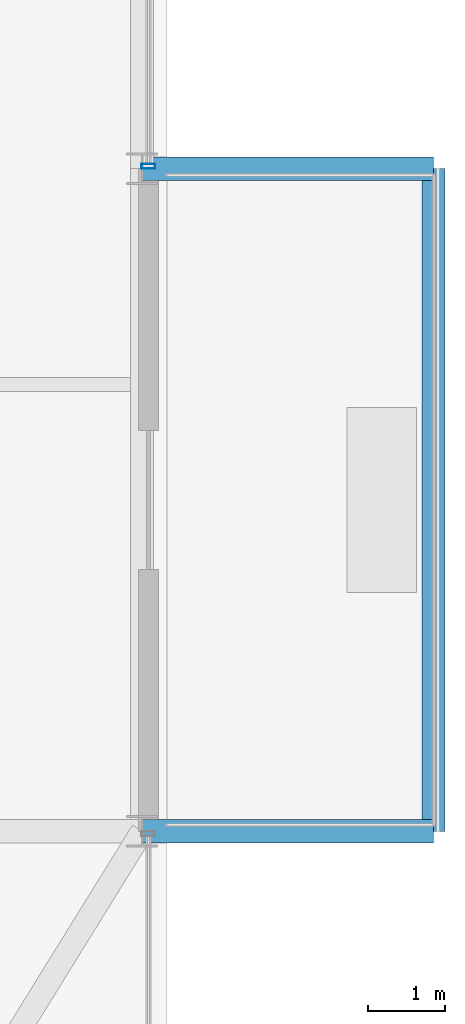
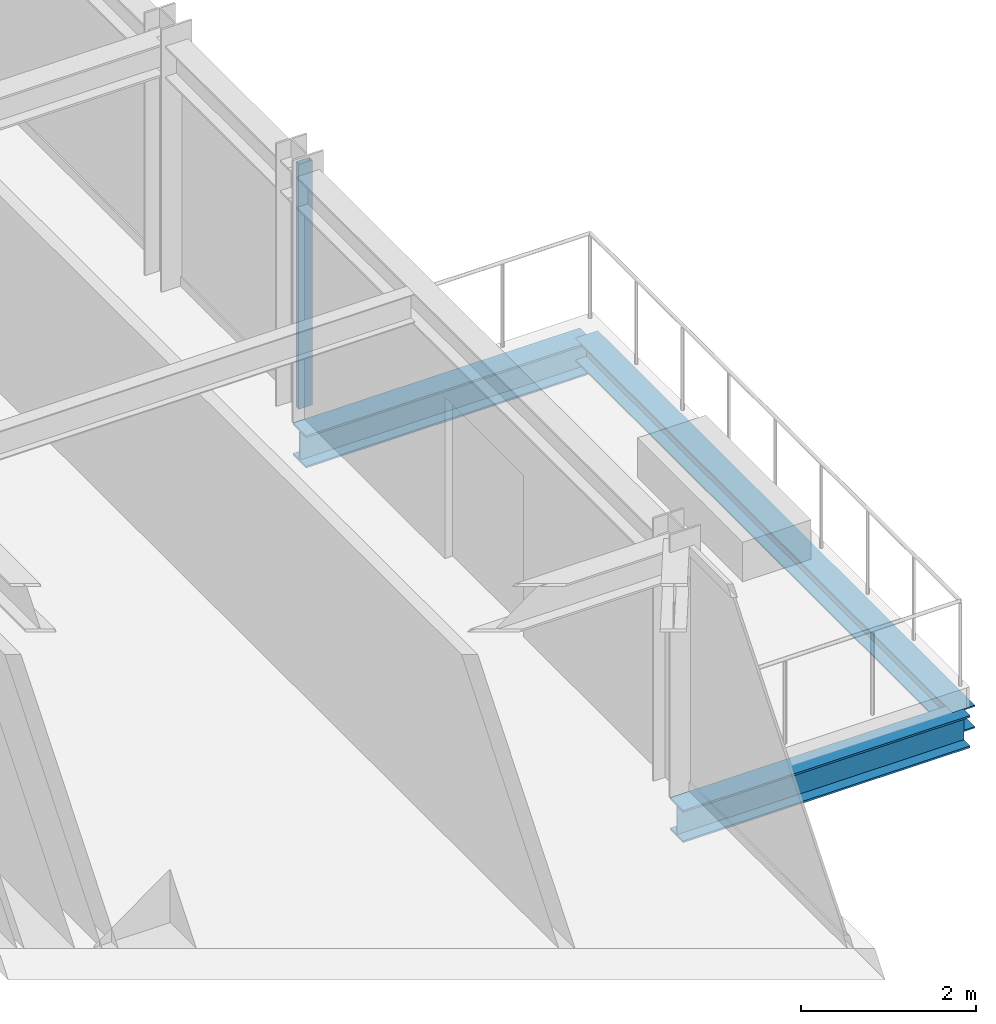
# One storey, part 15 of 42: 3 beams, 1 member, 1 element without a shape of its own.
"""IFC4 building model written with IfcOpenShell, lengths in metres."""

from ifc_helpers import new_model, si_unit, direction, frame, origin, origin_2d, place, context, subcontext, project, spatial, hollow_rectangle, i_section, extrude, source, transform, mapped, material, material_profile, profile_set, type_object, element, aggregate, save


model = new_model("IFC4")

# Units and contexts
model_context = context("Model", 3, precision=1e-05, world=origin(), true_north=direction((0.0, 1.0)))
body_context = subcontext(model_context, "Body", "Model", "MODEL_VIEW")
ifc_project = project(units=[si_unit("LENGTHUNIT", "METRE"), si_unit("AREAUNIT", "SQUARE_METRE"), si_unit("VOLUMEUNIT", "CUBIC_METRE"), si_unit("PLANEANGLEUNIT", "RADIAN"), si_unit("MASSUNIT", "GRAM", prefix="KILO")], contexts=[model_context])

# Site, building, storey
site_placement = place(None, origin())
site = spatial("IfcSite", under=ifc_project, at=site_placement, CompositionType="ELEMENT")
building_placement = place(site_placement, origin())
building = spatial("IfcBuilding", under=site, at=building_placement, Name="Nahalor Promenade Grand Hotel", CompositionType="ELEMENT")
storey_placement = place(building_placement, frame((0.0, 0.0, 249.300048828125)))
storey = spatial("IfcBuildingStorey", under=building, at=storey_placement, Name="L64", CompositionType="ELEMENT", Elevation=249.300048828125)

# Beams
ifc_material_1 = material(Name="Steel S355JR", Category="steel")
ifc_material_profile_1 = material_profile(ifc_material_1, i_section(OverallWidth=0.3, OverallDepth=0.32, WebThickness=0.0115, FlangeThickness=0.0205, at=origin_2d()), Name="HEB 320")
ifc_profile_set_1 = profile_set([ifc_material_profile_1], Name="Steel S355JR")
beam_type_1 = type_object("IfcBeamType", Name="Beam-BalcEdge-HEB320", PredefinedType="SPANDREL", material=ifc_profile_set_1)
shared_shape_1 = source(origin(), body_context, "Body", "SweptSolid", [
    extrude(i_section(OverallWidth=0.3, OverallDepth=0.32, WebThickness=0.0115, FlangeThickness=0.0205, at=origin_2d()), origin(), (0.0, 0.0, 1.0), 8.60009765625),
])
beam_placement = place(storey_placement, frame((27.659912109375, -17.0, -0.43994140625), z_axis=(0.0, 1.0, 0.0), x_axis=(-1.0, 0.0, 0.0)))
element("IfcBeam", 1, at=beam_placement, inside=storey, type_object=beam_type_1, Name="BM-L64-BC-02-F", PredefinedType="SPANDREL", context=body_context, shape_type="MappedRepresentation", body=[
    mapped(shared_shape_1, transform((0.0, 0.0, 0.0), scale=1.0)),
])
ifc_material_profile_2 = material_profile(ifc_material_1, i_section(OverallWidth=0.3, OverallDepth=0.45, WebThickness=0.014, FlangeThickness=0.026, at=origin_2d()), Name="HEB 450")
ifc_profile_set_2 = profile_set([ifc_material_profile_2], Name="Steel S355JR")
beam_type_2 = type_object("IfcBeamType", Name="Beam-Outrigger-HEB450", PredefinedType="BEAM", material=ifc_profile_set_2)
shared_shape_2 = source(origin(), body_context, "Body", "SweptSolid", [
    extrude(i_section(OverallWidth=0.3, OverallDepth=0.45, WebThickness=0.014, FlangeThickness=0.026, at=origin_2d()), origin(), (0.0, 0.0, 1.0), 3.780029296875),
])
for number, where, z_axis, x_axis, name in (
    (2, (23.8798828125, -17.0, -0.505126953125), (1.0, 0.0, 0.0), (0.0, 1.0, 0.0), "BM-L64-BC-02-1"),
    (3, (23.8798828125, -8.39990234375, -0.505126953125), (1.0, 0.0, 0.0), (0.0, 1.0, 0.0), "BM-L64-BC-02-2"),
):
    element("IfcBeam", number, at=place(storey_placement, frame(where, z_axis=z_axis, x_axis=x_axis)), inside=storey, type_object=beam_type_2, Name=name, PredefinedType="BEAM", context=body_context, shape_type="MappedRepresentation", body=[
        mapped(shared_shape_2, transform((0.0, 0.0, 0.0), scale=1.0)),
    ])

# Curtain wall, member
ifc_material_2 = material(Name="Anodised Bronze Aluminium EN AW-6063 T6", Category="aluminium")
curtain_wall_type = type_object("IfcCurtainWallType", Name="CW2 Typical Hotel Flush Bronze Unitised Curtain Wall", PredefinedType="USERDEFINED", material=ifc_material_2)
curtain_wall_placement = place(storey_placement, origin())
curtain_wall = element("IfcCurtainWall", 4, at=curtain_wall_placement, inside=storey, type_object=curtain_wall_type, Name="L64 Curtain Wall CW-L64-E-3", ObjectType="UNITISED_CURTAIN_WALL", PredefinedType="USERDEFINED")
ifc_material_profile_3 = material_profile(ifc_material_2, hollow_rectangle(XDim=0.065, YDim=0.18, WallThickness=0.004, at=origin_2d()), Name="CWM 65x180x4")
ifc_profile_set_3 = profile_set([ifc_material_profile_3], Name="Anodised Bronze Aluminium EN AW-6063 T6")
member_type = type_object("IfcMemberType", Name="CWM2 Typical Bronze Mullion 65x180", PredefinedType="MULLION", material=ifc_profile_set_3)
shared_shape_3 = source(origin(), body_context, "Body", "SweptSolid", [
    extrude(hollow_rectangle(XDim=0.065, YDim=0.18, WallThickness=0.004, at=origin_2d()), origin(), (0.0, 0.0, 1.0), 3.409912109375),
])
member_placement = place(storey_placement, frame((23.9599609375, -8.367431640625, 0.0), z_axis=(0.0, 0.0, 1.0), x_axis=(0.0, 1.0, 0.0)))
member = element("IfcMember", 5, at=member_placement, type_object=member_type, Name="CW-L64-E-3 Mullion 0", PredefinedType="MULLION", context=body_context, shape_type="MappedRepresentation", body=[
    mapped(shared_shape_3, transform((0.0, 0.0, 0.0), scale=1.0)),
])
aggregate(curtain_wall, [member])

save(model, "model.ifc")
